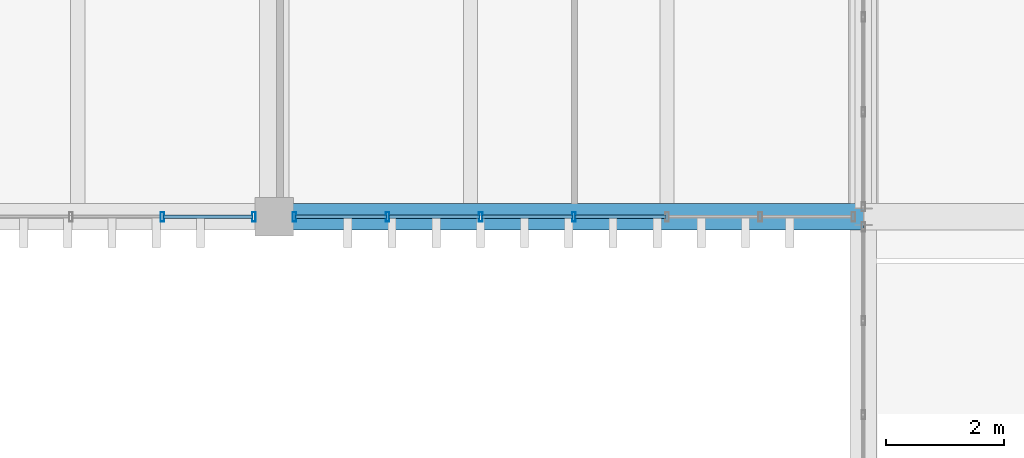
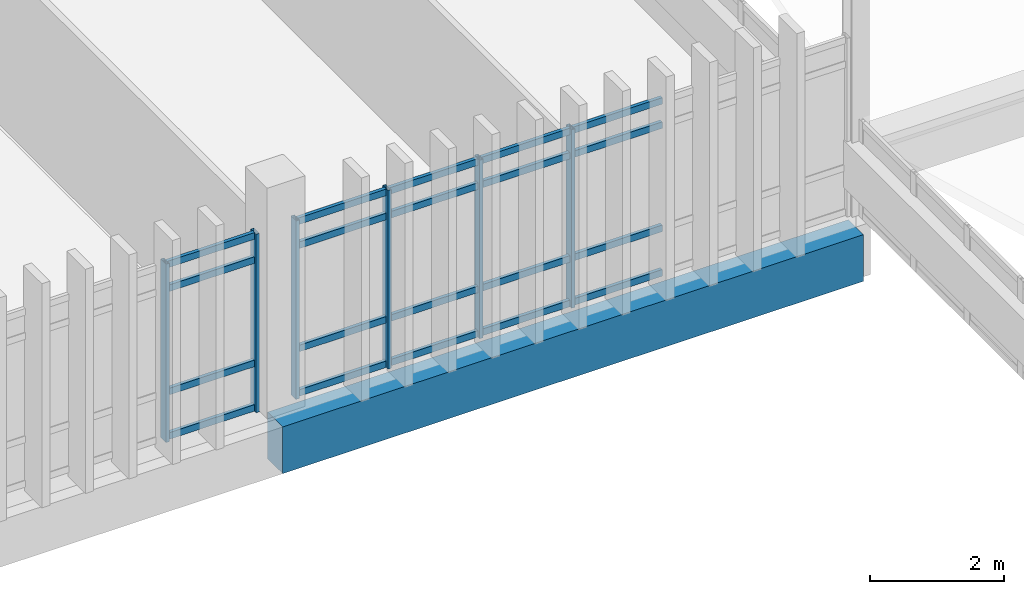
# One storey, part 28 of 82: 26 members, 1 beam, 2 elements without a shape of their own.
"""IFC4 building model written with IfcOpenShell, lengths in metres."""

from ifc_helpers import new_model, si_unit, direction, frame, origin, origin_2d, place, context, subcontext, project, spatial, rectangle, hollow_rectangle, extrude, material, layer, layer_set, material_profile, profile_set, type_object, element, aggregate, save


model = new_model("IFC4")

# Units and contexts
model_context = context("Model", 3, precision=1e-05, world=origin(), true_north=direction((0.0, 1.0)))
body_context = subcontext(model_context, "Body", "Model", "MODEL_VIEW")
ifc_project = project(units=[si_unit("LENGTHUNIT", "METRE"), si_unit("AREAUNIT", "SQUARE_METRE"), si_unit("VOLUMEUNIT", "CUBIC_METRE"), si_unit("PLANEANGLEUNIT", "RADIAN"), si_unit("MASSUNIT", "GRAM", prefix="KILO")], contexts=[model_context])

# Site, building, storey
site_placement = place(None, origin())
site = spatial("IfcSite", under=ifc_project, at=site_placement, CompositionType="ELEMENT")
building_placement = place(site_placement, origin())
building = spatial("IfcBuilding", under=site, at=building_placement, Name="Mersad Railyard Sports Hall", CompositionType="ELEMENT")
storey_placement = place(building_placement, frame((0.0, 0.0, 13.199951171875)))
storey = spatial("IfcBuildingStorey", under=building, at=storey_placement, Name="L03", CompositionType="ELEMENT", Elevation=13.199951171875)

# Curtain wall, members
ifc_material_1 = material(Name="Aluminium 6063-T6", Category="aluminium")
ifc_layer_1 = layer(ifc_material_1, 0.159912109375)
ifc_layer_set_1 = layer_set([ifc_layer_1], Name="Aluminium 6063-T6")
curtain_wall_type_1 = type_object("IfcCurtainWallType", Name="ARC-CW-CW60", PredefinedType="USERDEFINED", material=ifc_layer_set_1)
curtain_wall_1_placement = place(storey_placement, origin())
curtain_wall_1 = element("IfcCurtainWall", 1, at=curtain_wall_1_placement, inside=storey, type_object=curtain_wall_type_1, Name="Curtain wall CW60-0160", ObjectType="CURTAIN WALL", PredefinedType="USERDEFINED")
ifc_material_profile_1 = material_profile(ifc_material_1, hollow_rectangle(XDim=0.06005859375, YDim=0.159912109375, WallThickness=0.00390625, at=origin_2d()), Name="AL MULLION 60x160x4")
ifc_profile_set_1 = profile_set([ifc_material_profile_1], Name="Aluminium 6063-T6")
member_type_1 = type_object("IfcMemberType", Name="ARC-CW-MUL01", PredefinedType="MULLION", material=ifc_profile_set_1)
member_1_placement = place(storey_placement, frame((120.655029296875, 85.0, -0.02001953125), z_axis=(0.0, 0.0, 1.0), x_axis=(1.0, 0.0, 0.0)))
member_1 = element("IfcMember", 2, at=member_1_placement, type_object=member_type_1, Name="CW60 Mullion 1", PredefinedType="MULLION", context=body_context, shape_type="SweptSolid", body=[
    extrude(hollow_rectangle(XDim=0.06005859375, YDim=0.159912109375, WallThickness=0.00390625, at=origin_2d()), origin(), (0.0, 0.0, 1.0), 3.25),
])
member_2_placement = place(storey_placement, frame((119.103271484375, 85.0, -0.02001953125), z_axis=(0.0, 0.0, 1.0), x_axis=(1.0, 0.0, 0.0)))
member_2 = element("IfcMember", 3, at=member_2_placement, type_object=member_type_1, Name="CW60 Mullion 2", PredefinedType="MULLION", context=body_context, shape_type="SweptSolid", body=[
    extrude(hollow_rectangle(XDim=0.06005859375, YDim=0.159912109375, WallThickness=0.00390625, at=origin_2d()), origin(), (0.0, 0.0, 1.0), 3.25),
])

ifc_layer_2 = layer(ifc_material_1, 0.159912109375)
ifc_layer_set_2 = layer_set([ifc_layer_2], Name="Aluminium 6063-T6")
curtain_wall_type_2 = type_object("IfcCurtainWallType", Name="ARC-CW-CW61", PredefinedType="USERDEFINED", material=ifc_layer_set_2)
curtain_wall_2_placement = place(storey_placement, origin())
curtain_wall_2 = element("IfcCurtainWall", 4, at=curtain_wall_2_placement, inside=storey, type_object=curtain_wall_type_2, Name="Curtain wall CW61-0161", ObjectType="CURTAIN WALL", PredefinedType="USERDEFINED")
member_3_placement = place(storey_placement, frame((126.08740234375, 85.0, -0.02001953125), z_axis=(0.0, 0.0, 1.0), x_axis=(1.0, 0.0, 0.0)))
member_3 = element("IfcMember", 5, at=member_3_placement, type_object=member_type_1, Name="CW61 Mullion 4", PredefinedType="MULLION", context=body_context, shape_type="SweptSolid", body=[
    extrude(hollow_rectangle(XDim=0.06005859375, YDim=0.159912109375, WallThickness=0.00390625, at=origin_2d()), origin(), (0.0, 0.0, 1.0), 3.25),
])
member_4_placement = place(storey_placement, frame((124.506591796875, 85.0, -0.02001953125), z_axis=(0.0, 0.0, 1.0), x_axis=(1.0, 0.0, 0.0)))
member_4 = element("IfcMember", 6, at=member_4_placement, type_object=member_type_1, Name="CW61 Mullion 5", PredefinedType="MULLION", context=body_context, shape_type="SweptSolid", body=[
    extrude(hollow_rectangle(XDim=0.06005859375, YDim=0.159912109375, WallThickness=0.00390625, at=origin_2d()), origin(), (0.0, 0.0, 1.0), 3.25),
])
member_5_placement = place(storey_placement, frame((122.92578125, 85.0, -0.02001953125), z_axis=(0.0, 0.0, 1.0), x_axis=(1.0, 0.0, 0.0)))
member_5 = element("IfcMember", 7, at=member_5_placement, type_object=member_type_1, Name="CW61 Mullion 6", PredefinedType="MULLION", context=body_context, shape_type="SweptSolid", body=[
    extrude(hollow_rectangle(XDim=0.06005859375, YDim=0.159912109375, WallThickness=0.00390625, at=origin_2d()), origin(), (0.0, 0.0, 1.0), 3.25),
])
member_6_placement = place(storey_placement, frame((121.344970703125, 85.0, -0.02001953125), z_axis=(0.0, 0.0, 1.0), x_axis=(1.0, 0.0, 0.0)))
member_6 = element("IfcMember", 8, at=member_6_placement, type_object=member_type_1, Name="CW61 Mullion 7", PredefinedType="MULLION", context=body_context, shape_type="SweptSolid", body=[
    extrude(hollow_rectangle(XDim=0.06005859375, YDim=0.159912109375, WallThickness=0.00390625, at=origin_2d()), origin(), (0.0, 0.0, 1.0), 3.25),
])

# Member
ifc_material_profile_2 = material_profile(ifc_material_1, hollow_rectangle(XDim=0.06005859375, YDim=0.1201171875, WallThickness=0.00390625, at=origin_2d()), Name="AL TRANSOM 60x120x4")
ifc_profile_set_2 = profile_set([ifc_material_profile_2], Name="Aluminium 6063-T6")
member_type_2 = type_object("IfcMemberType", Name="ARC-CW-TRN01", PredefinedType="USERDEFINED", material=ifc_profile_set_2)
member_7_placement = place(storey_placement, frame((120.635009765625, 85.0, 0.0400390625), z_axis=(-1.0, 0.0, 0.0), x_axis=(0.0, -1.0, 0.0)))
member_7 = element("IfcMember", 9, at=member_7_placement, type_object=member_type_2, Name="CW60 Transom 1-1", ObjectType="TRANSOM", PredefinedType="USERDEFINED", context=body_context, shape_type="SweptSolid", body=[
    extrude(hollow_rectangle(XDim=0.06005859375, YDim=0.1201171875, WallThickness=0.00390625, at=origin_2d()), origin(), (0.0, 0.0, 1.0), 1.51171875),
])

member_8_placement = place(storey_placement, frame((120.635009765625, 85.0, 0.85009765625), z_axis=(-1.0, 0.0, 0.0), x_axis=(0.0, -1.0, 0.0)))
member_8 = element("IfcMember", 10, at=member_8_placement, type_object=member_type_2, Name="CW60 Transom 2-1", ObjectType="TRANSOM", PredefinedType="USERDEFINED", context=body_context, shape_type="SweptSolid", body=[
    extrude(hollow_rectangle(XDim=0.06005859375, YDim=0.1201171875, WallThickness=0.00390625, at=origin_2d()), origin(), (0.0, 0.0, 1.0), 1.51171875),
])

member_9_placement = place(storey_placement, frame((120.635009765625, 85.0, 2.72998046875), z_axis=(-1.0, 0.0, 0.0), x_axis=(0.0, -1.0, 0.0)))
member_9 = element("IfcMember", 11, at=member_9_placement, type_object=member_type_2, Name="CW60 Transom 3-1", ObjectType="TRANSOM", PredefinedType="USERDEFINED", context=body_context, shape_type="SweptSolid", body=[
    extrude(hollow_rectangle(XDim=0.06005859375, YDim=0.1201171875, WallThickness=0.00390625, at=origin_2d()), origin(), (0.0, 0.0, 1.0), 1.51171875),
])

member_10_placement = place(storey_placement, frame((120.635009765625, 85.0, 3.170166015625), z_axis=(-1.0, 0.0, 0.0), x_axis=(0.0, -1.0, 0.0)))
member_10 = element("IfcMember", 12, at=member_10_placement, type_object=member_type_2, Name="CW60 Transom 4-1", ObjectType="TRANSOM", PredefinedType="USERDEFINED", context=body_context, shape_type="SweptSolid", body=[
    extrude(hollow_rectangle(XDim=0.06005859375, YDim=0.1201171875, WallThickness=0.00390625, at=origin_2d()), origin(), (0.0, 0.0, 1.0), 1.51171875),
])

aggregate(curtain_wall_1, [member_1, member_2, member_7, member_8, member_9, member_10])

member_11_placement = place(storey_placement, frame((127.6484375, 85.0, 0.0400390625), z_axis=(-1.0, 0.0, 0.0), x_axis=(0.0, -1.0, 0.0)))
member_11 = element("IfcMember", 13, at=member_11_placement, type_object=member_type_2, Name="CW61 Transom 1-3", ObjectType="TRANSOM", PredefinedType="USERDEFINED", context=body_context, shape_type="SweptSolid", body=[
    extrude(hollow_rectangle(XDim=0.06005859375, YDim=0.1201171875, WallThickness=0.00390625, at=origin_2d()), origin(), (0.0, 0.0, 1.0), 1.541015625),
])

member_12_placement = place(storey_placement, frame((126.0673828125, 85.0, 0.0400390625), z_axis=(-1.0, 0.0, 0.0), x_axis=(0.0, -1.0, 0.0)))
member_12 = element("IfcMember", 14, at=member_12_placement, type_object=member_type_2, Name="CW61 Transom 1-4", ObjectType="TRANSOM", PredefinedType="USERDEFINED", context=body_context, shape_type="SweptSolid", body=[
    extrude(hollow_rectangle(XDim=0.06005859375, YDim=0.1201171875, WallThickness=0.00390625, at=origin_2d()), origin(), (0.0, 0.0, 1.0), 1.540771484375),
])

member_13_placement = place(storey_placement, frame((124.486572265625, 85.0, 0.0400390625), z_axis=(-1.0, 0.0, 0.0), x_axis=(0.0, -1.0, 0.0)))
member_13 = element("IfcMember", 15, at=member_13_placement, type_object=member_type_2, Name="CW61 Transom 1-5", ObjectType="TRANSOM", PredefinedType="USERDEFINED", context=body_context, shape_type="SweptSolid", body=[
    extrude(hollow_rectangle(XDim=0.06005859375, YDim=0.1201171875, WallThickness=0.00390625, at=origin_2d()), origin(), (0.0, 0.0, 1.0), 1.540771484375),
])

member_14_placement = place(storey_placement, frame((122.90576171875, 85.0, 0.0400390625), z_axis=(-1.0, 0.0, 0.0), x_axis=(0.0, -1.0, 0.0)))
member_14 = element("IfcMember", 16, at=member_14_placement, type_object=member_type_2, Name="CW61 Transom 1-6", ObjectType="TRANSOM", PredefinedType="USERDEFINED", context=body_context, shape_type="SweptSolid", body=[
    extrude(hollow_rectangle(XDim=0.06005859375, YDim=0.1201171875, WallThickness=0.00390625, at=origin_2d()), origin(), (0.0, 0.0, 1.0), 1.540771484375),
])

member_15_placement = place(storey_placement, frame((127.6484375, 85.0, 0.85009765625), z_axis=(-1.0, 0.0, 0.0), x_axis=(0.0, -1.0, 0.0)))
member_15 = element("IfcMember", 17, at=member_15_placement, type_object=member_type_2, Name="CW61 Transom 2-3", ObjectType="TRANSOM", PredefinedType="USERDEFINED", context=body_context, shape_type="SweptSolid", body=[
    extrude(hollow_rectangle(XDim=0.06005859375, YDim=0.1201171875, WallThickness=0.00390625, at=origin_2d()), origin(), (0.0, 0.0, 1.0), 1.541015625),
])

member_16_placement = place(storey_placement, frame((126.0673828125, 85.0, 0.85009765625), z_axis=(-1.0, 0.0, 0.0), x_axis=(0.0, -1.0, 0.0)))
member_16 = element("IfcMember", 18, at=member_16_placement, type_object=member_type_2, Name="CW61 Transom 2-4", ObjectType="TRANSOM", PredefinedType="USERDEFINED", context=body_context, shape_type="SweptSolid", body=[
    extrude(hollow_rectangle(XDim=0.06005859375, YDim=0.1201171875, WallThickness=0.00390625, at=origin_2d()), origin(), (0.0, 0.0, 1.0), 1.540771484375),
])

member_17_placement = place(storey_placement, frame((124.486572265625, 85.0, 0.85009765625), z_axis=(-1.0, 0.0, 0.0), x_axis=(0.0, -1.0, 0.0)))
member_17 = element("IfcMember", 19, at=member_17_placement, type_object=member_type_2, Name="CW61 Transom 2-5", ObjectType="TRANSOM", PredefinedType="USERDEFINED", context=body_context, shape_type="SweptSolid", body=[
    extrude(hollow_rectangle(XDim=0.06005859375, YDim=0.1201171875, WallThickness=0.00390625, at=origin_2d()), origin(), (0.0, 0.0, 1.0), 1.540771484375),
])

member_18_placement = place(storey_placement, frame((122.90576171875, 85.0, 0.85009765625), z_axis=(-1.0, 0.0, 0.0), x_axis=(0.0, -1.0, 0.0)))
member_18 = element("IfcMember", 20, at=member_18_placement, type_object=member_type_2, Name="CW61 Transom 2-6", ObjectType="TRANSOM", PredefinedType="USERDEFINED", context=body_context, shape_type="SweptSolid", body=[
    extrude(hollow_rectangle(XDim=0.06005859375, YDim=0.1201171875, WallThickness=0.00390625, at=origin_2d()), origin(), (0.0, 0.0, 1.0), 1.540771484375),
])

member_19_placement = place(storey_placement, frame((127.6484375, 85.0, 2.72998046875), z_axis=(-1.0, 0.0, 0.0), x_axis=(0.0, -1.0, 0.0)))
member_19 = element("IfcMember", 21, at=member_19_placement, type_object=member_type_2, Name="CW61 Transom 3-3", ObjectType="TRANSOM", PredefinedType="USERDEFINED", context=body_context, shape_type="SweptSolid", body=[
    extrude(hollow_rectangle(XDim=0.06005859375, YDim=0.1201171875, WallThickness=0.00390625, at=origin_2d()), origin(), (0.0, 0.0, 1.0), 1.541015625),
])

member_20_placement = place(storey_placement, frame((126.0673828125, 85.0, 2.72998046875), z_axis=(-1.0, 0.0, 0.0), x_axis=(0.0, -1.0, 0.0)))
member_20 = element("IfcMember", 22, at=member_20_placement, type_object=member_type_2, Name="CW61 Transom 3-4", ObjectType="TRANSOM", PredefinedType="USERDEFINED", context=body_context, shape_type="SweptSolid", body=[
    extrude(hollow_rectangle(XDim=0.06005859375, YDim=0.1201171875, WallThickness=0.00390625, at=origin_2d()), origin(), (0.0, 0.0, 1.0), 1.540771484375),
])

member_21_placement = place(storey_placement, frame((124.486572265625, 85.0, 2.72998046875), z_axis=(-1.0, 0.0, 0.0), x_axis=(0.0, -1.0, 0.0)))
member_21 = element("IfcMember", 23, at=member_21_placement, type_object=member_type_2, Name="CW61 Transom 3-5", ObjectType="TRANSOM", PredefinedType="USERDEFINED", context=body_context, shape_type="SweptSolid", body=[
    extrude(hollow_rectangle(XDim=0.06005859375, YDim=0.1201171875, WallThickness=0.00390625, at=origin_2d()), origin(), (0.0, 0.0, 1.0), 1.540771484375),
])

member_22_placement = place(storey_placement, frame((122.90576171875, 85.0, 2.72998046875), z_axis=(-1.0, 0.0, 0.0), x_axis=(0.0, -1.0, 0.0)))
member_22 = element("IfcMember", 24, at=member_22_placement, type_object=member_type_2, Name="CW61 Transom 3-6", ObjectType="TRANSOM", PredefinedType="USERDEFINED", context=body_context, shape_type="SweptSolid", body=[
    extrude(hollow_rectangle(XDim=0.06005859375, YDim=0.1201171875, WallThickness=0.00390625, at=origin_2d()), origin(), (0.0, 0.0, 1.0), 1.540771484375),
])

member_23_placement = place(storey_placement, frame((127.6484375, 85.0, 3.170166015625), z_axis=(-1.0, 0.0, 0.0), x_axis=(0.0, -1.0, 0.0)))
member_23 = element("IfcMember", 25, at=member_23_placement, type_object=member_type_2, Name="CW61 Transom 4-3", ObjectType="TRANSOM", PredefinedType="USERDEFINED", context=body_context, shape_type="SweptSolid", body=[
    extrude(hollow_rectangle(XDim=0.06005859375, YDim=0.1201171875, WallThickness=0.00390625, at=origin_2d()), origin(), (0.0, 0.0, 1.0), 1.541015625),
])

member_24_placement = place(storey_placement, frame((126.0673828125, 85.0, 3.170166015625), z_axis=(-1.0, 0.0, 0.0), x_axis=(0.0, -1.0, 0.0)))
member_24 = element("IfcMember", 26, at=member_24_placement, type_object=member_type_2, Name="CW61 Transom 4-4", ObjectType="TRANSOM", PredefinedType="USERDEFINED", context=body_context, shape_type="SweptSolid", body=[
    extrude(hollow_rectangle(XDim=0.06005859375, YDim=0.1201171875, WallThickness=0.00390625, at=origin_2d()), origin(), (0.0, 0.0, 1.0), 1.540771484375),
])

member_25_placement = place(storey_placement, frame((124.486572265625, 85.0, 3.170166015625), z_axis=(-1.0, 0.0, 0.0), x_axis=(0.0, -1.0, 0.0)))
member_25 = element("IfcMember", 27, at=member_25_placement, type_object=member_type_2, Name="CW61 Transom 4-5", ObjectType="TRANSOM", PredefinedType="USERDEFINED", context=body_context, shape_type="SweptSolid", body=[
    extrude(hollow_rectangle(XDim=0.06005859375, YDim=0.1201171875, WallThickness=0.00390625, at=origin_2d()), origin(), (0.0, 0.0, 1.0), 1.540771484375),
])

member_26_placement = place(storey_placement, frame((122.90576171875, 85.0, 3.170166015625), z_axis=(-1.0, 0.0, 0.0), x_axis=(0.0, -1.0, 0.0)))
member_26 = element("IfcMember", 28, at=member_26_placement, type_object=member_type_2, Name="CW61 Transom 4-6", ObjectType="TRANSOM", PredefinedType="USERDEFINED", context=body_context, shape_type="SweptSolid", body=[
    extrude(hollow_rectangle(XDim=0.06005859375, YDim=0.1201171875, WallThickness=0.00390625, at=origin_2d()), origin(), (0.0, 0.0, 1.0), 1.540771484375),
])

aggregate(curtain_wall_2, [member_3, member_4, member_5, member_6, member_11, member_12, member_13, member_14, member_15, member_16, member_17, member_18, member_19, member_20, member_21, member_22, member_23, member_24, member_25, member_26])

# Beam
ifc_material_2 = material(Name="Concrete C40/50", Category="concrete")
ifc_material_profile_3 = material_profile(ifc_material_2, rectangle(XDim=0.449951171875, YDim=0.85009765625, at=origin_2d()), Name="RC 450x850")
ifc_profile_set_3 = profile_set([ifc_material_profile_3], Name="Concrete C40/50")
beam_type = type_object("IfcBeamType", Name="STR-BM-B02", PredefinedType="BEAM", material=ifc_profile_set_3)
beam_placement = place(storey_placement, frame((121.0, 85.0, -0.744873046875), z_axis=(1.0, 0.0, 0.0), x_axis=(0.0, 1.0, 0.0)))
element("IfcBeam", 29, at=beam_placement, inside=storey, type_object=beam_type, Name="Beam B02-1219", PredefinedType="BEAM", context=body_context, shape_type="SweptSolid", body=[
    extrude(rectangle(XDim=0.449951171875, YDim=0.85009765625, at=origin_2d()), origin(), (0.0, 0.0, 1.0), 10.0),
])

save(model, "model.ifc")
